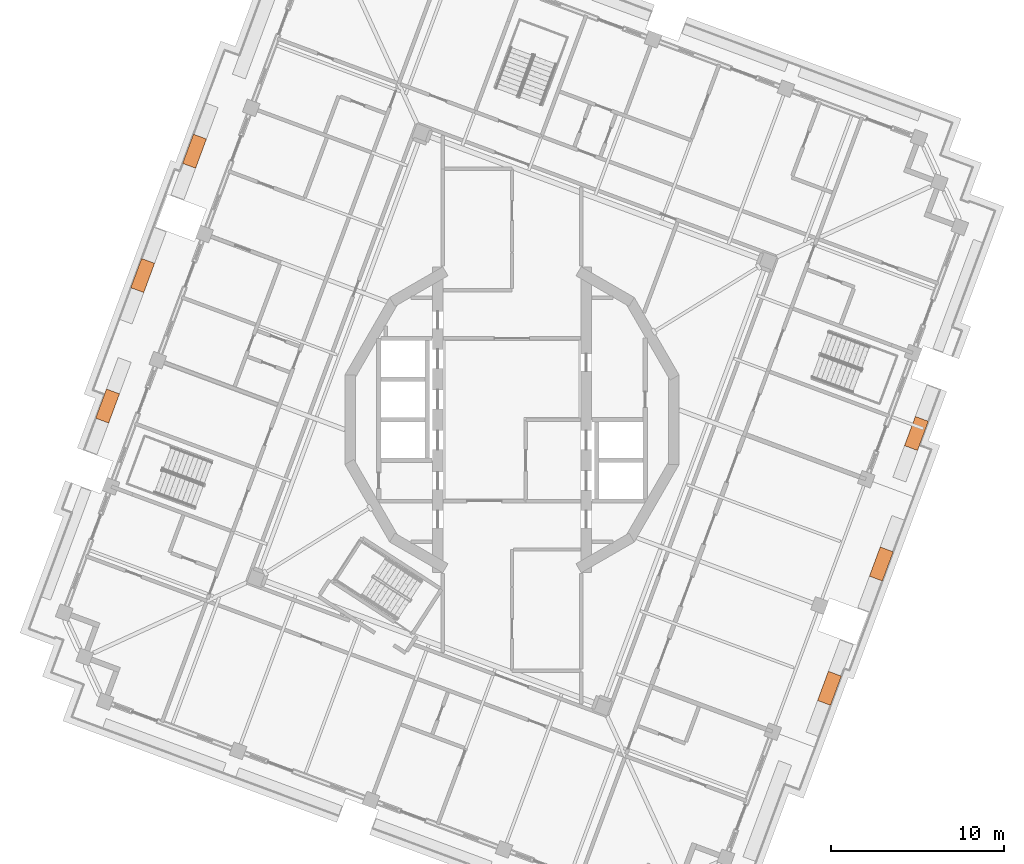
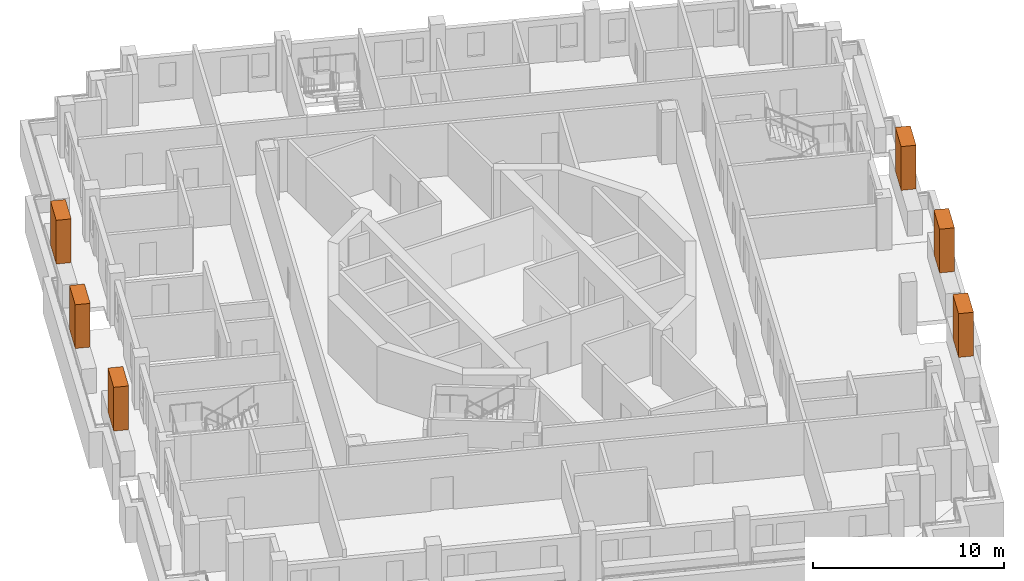
# One storey, part 19 of 19: 6 proxies.
"""IFC4 building model written with IfcOpenShell, lengths in metres."""

import ifcopenshell
import ifcopenshell.guid

model = None  # the IFC model being written
_history = None  # IfcOwnerHistory: only IFC2X3 demands one
_inside = {}  # id of a spatial element -> (the spatial element, [elements in it])
_under = {}  # id of a project, library or spatial element -> (it, [spatial elements below it])
_declared = {}  # id of a project -> (the project, [libraries it declares])
_typed = {}  # id of a type object -> (the type object, [elements of that type])
_made_of = {}  # id of a material, layer set ... -> (it, [elements and type objects made of it])


def new_model(schema):
    """Start an empty IFC model of exactly this schema.

    Asked for "IFC4X3", IfcOpenShell would pick the latest addendum, in which some entities
    have other attributes; the version numbers below select the first issue.
    IFC2X3 requires an IfcOwnerHistory on every rooted entity: one is made here for all.
    """
    global model, _history
    if schema == "IFC4X3":
        model = ifcopenshell.file(schema_version=(4, 3, 0, 0))
    else:
        model = ifcopenshell.file(schema=schema)
    _inside.clear()
    _under.clear()
    _declared.clear()
    _typed.clear()
    _made_of.clear()
    _history = None
    if model.schema == "IFC2X3":
        org = make("IfcOrganization", Name="unknown")
        user = make(
            "IfcPersonAndOrganization",
            ThePerson=make("IfcPerson", FamilyName="unknown"),
            TheOrganization=org,
        )
        app = make(
            "IfcApplication",
            ApplicationDeveloper=org,
            Version="unknown",
            ApplicationFullName="unknown",
            ApplicationIdentifier="unknown",
        )
        _history = make(
            "IfcOwnerHistory",
            OwningUser=user,
            OwningApplication=app,
            ChangeAction="ADDED",
            CreationDate=0,
        )
    return model


def make(cls, **values):
    """One entity of the class cls with the attributes given. An attribute that is None is left unset."""
    return model.create_entity(
        cls, **{name: value for name, value in values.items() if value is not None}
    )


def rooted(cls, **values):
    """An entity with a GlobalId (a new one), such as an element, a storey or a relation."""
    return make(cls, GlobalId=ifcopenshell.guid.new(), OwnerHistory=_history, **values)


def si_unit(unit_type, name, prefix=None):
    """IfcSIUnit, for example si_unit("LENGTHUNIT", "METRE", prefix="MILLI")."""
    return make("IfcSIUnit", UnitType=unit_type, Prefix=prefix, Name=name)


def assignment(units):
    """IfcUnitAssignment: the units of a project."""
    return None if units is None else make("IfcUnitAssignment", Units=units)


def point(xyz):
    """IfcCartesianPoint."""
    return None if xyz is None else make("IfcCartesianPoint", Coordinates=xyz)


def direction(xyz):
    """IfcDirection."""
    return None if xyz is None else make("IfcDirection", DirectionRatios=xyz)


def frame(location, z_axis=None, x_axis=None):
    """IfcAxis2Placement3D, a coordinate frame: its origin and axes. An axis left out is left unset."""
    return make(
        "IfcAxis2Placement3D",
        Location=point(location),
        Axis=direction(z_axis),
        RefDirection=direction(x_axis),
    )


def frame_2d(location, x_axis=None):
    """IfcAxis2Placement2D, a coordinate frame in the plane: its origin and x axis."""
    return make(
        "IfcAxis2Placement2D", Location=point(location), RefDirection=direction(x_axis)
    )


def origin():
    """The frame at (0, 0, 0) with its axes left unset."""
    return frame((0.0, 0.0, 0.0))


def origin_2d():
    """The frame at (0, 0) in the plane with its x axis left unset."""
    return frame_2d((0.0, 0.0))


def place(relative_to, where):
    """IfcLocalPlacement: puts the frame where relative to a parent placement (None: the world)."""
    return make(
        "IfcLocalPlacement", PlacementRelTo=relative_to, RelativePlacement=where
    )


def context(
    kind, dimensions, precision=None, world=None, true_north=None, identifier=None
):
    """IfcGeometricRepresentationContext, for example the 3D "Model" context."""
    return make(
        "IfcGeometricRepresentationContext",
        ContextIdentifier=identifier,
        ContextType=kind,
        CoordinateSpaceDimension=dimensions,
        Precision=precision,
        WorldCoordinateSystem=world,
        TrueNorth=true_north,
    )


def subcontext(parent, identifier, kind, view, scale=None):
    """IfcGeometricRepresentationSubContext, for example "Body" below "Model"."""
    return make(
        "IfcGeometricRepresentationSubContext",
        ContextIdentifier=identifier,
        ContextType=kind,
        ParentContext=parent,
        TargetScale=scale,
        TargetView=view,
    )


def project(units=None, contexts=None):
    """IfcProject with its units and contexts."""
    return rooted(
        "IfcProject",
        Name="project",
        RepresentationContexts=contexts,
        UnitsInContext=assignment(units),
    )


def spatial(cls, under=None, at=None, **own):
    """A site, building, storey or space (cls), placed at a placement, below another one or the project."""
    s = rooted(cls, ObjectPlacement=at, **own)
    if under is not None:
        _under.setdefault(under.id(), (under, []))[1].append(s)
    return s


def profile(cls, at=None, kind="AREA", **sizes):
    """A parametric profile (cls). Its sizes go by their IFC names, for example OverallWidth=200.0."""
    return make(cls, ProfileType=kind, Position=at, **sizes)


def rectangle(**sizes):
    """IfcRectangleProfileDef."""
    return profile("IfcRectangleProfileDef", **sizes)


def extrude(swept, where, along, depth):
    """IfcExtrudedAreaSolid: the profile swept, set in the frame where, extruded along a direction by depth."""
    return make(
        "IfcExtrudedAreaSolid",
        SweptArea=swept,
        Position=where,
        ExtrudedDirection=direction(along),
        Depth=depth,
    )


def shape(context_of_items, identifier, shape_type, items):
    """IfcShapeRepresentation: the items that make up one representation, for example the "Body"."""
    return make(
        "IfcShapeRepresentation",
        ContextOfItems=context_of_items,
        RepresentationIdentifier=identifier,
        RepresentationType=shape_type,
        Items=items,
    )


def made_of(thing, what):
    """Note that an element or type object is made of a material, layer set ...; save() writes the relation."""
    if what is not None:
        _made_of.setdefault(what.id(), (what, []))[1].append(thing)
    return thing


def element(
    cls,
    number,
    at=None,
    inside=None,
    cuts=None,
    type_object=None,
    material=None,
    context=None,
    identifier="Body",
    shape_type=None,
    held_by="IfcProductDefinitionShape",
    body=None,
    shapes=None,
    **own,
):
    """One element of the class cls, such as IfcWall. Its Tag is "e" and its number.

    at: its placement. inside: the storey or other place that contains it. cuts: it is an
    opening in that element (IfcRelVoidsElement). A single representation is given by context,
    identifier, shape_type and body (its items); several are given by shapes. held_by: the class
    of the entity that holds the representations. save() writes the other relations.
    """
    e = rooted(cls, Tag="e%d" % number, ObjectPlacement=at, **own)
    if body is not None:
        shapes = [shape(context, identifier, shape_type, body)]
    if shapes is not None:
        e.Representation = make(held_by, Representations=shapes)
    if inside is not None:
        _inside.setdefault(inside.id(), (inside, []))[1].append(e)
    if cuts is not None:
        rooted(
            "IfcRelVoidsElement", RelatingBuildingElement=cuts, RelatedOpeningElement=e
        )
    if type_object is not None:
        _typed.setdefault(type_object.id(), (type_object, []))[1].append(e)
    return made_of(e, material)


def aggregate(whole, parts):
    """IfcRelAggregates: a whole, such as a stair, and the parts it consists of."""
    return rooted("IfcRelAggregates", RelatingObject=whole, RelatedObjects=parts)


def save(model, path):
    """Write the relations noted so far, then the file.

    IfcRelAggregates (storeys below a building ...), IfcRelContainedInSpatialStructure (elements
    in a storey), IfcRelDefinesByType, IfcRelAssociatesMaterial and IfcRelDeclares: one each for
    every whole, place, type object, material and project.
    """
    for whole, parts in _under.values():
        aggregate(whole, parts)
    for where, things in _inside.values():
        rooted(
            "IfcRelContainedInSpatialStructure",
            RelatedElements=things,
            RelatingStructure=where,
        )
    for kind, things in _typed.values():
        rooted("IfcRelDefinesByType", RelatedObjects=things, RelatingType=kind)
    for what, things in _made_of.values():
        rooted("IfcRelAssociatesMaterial", RelatedObjects=things, RelatingMaterial=what)
    for by, libraries in _declared.values():
        rooted("IfcRelDeclares", RelatingContext=by, RelatedDefinitions=libraries)
    model.write(path)


model = new_model("IFC4")

# Units and contexts
model_context = context("Model", 3, precision=1e-05, world=origin(), true_north=direction((0.0, 1.0)))
body_context = subcontext(model_context, "Body", "Model", "MODEL_VIEW")
ifc_project = project(units=[si_unit("LENGTHUNIT", "METRE"), si_unit("AREAUNIT", "SQUARE_METRE"), si_unit("VOLUMEUNIT", "CUBIC_METRE"), si_unit("PLANEANGLEUNIT", "RADIAN"), si_unit("MASSUNIT", "GRAM", prefix="KILO")], contexts=[model_context])

# Site, building, storey
site_placement = place(None, origin())
site = spatial("IfcSite", under=ifc_project, at=site_placement, CompositionType="ELEMENT")
building_placement = place(site_placement, origin())
building = spatial("IfcBuilding", under=site, at=building_placement, Name="Cantera Rosa Tower", CompositionType="ELEMENT")
storey_placement = place(building_placement, frame((0.0, 0.0, 327.699951171875)))
storey = spatial("IfcBuildingStorey", under=building, at=storey_placement, Name="L73", CompositionType="ELEMENT", Elevation=327.699951171875)

# Proxies
for number, where, z_axis, x_axis, name in (
    (1, (-18.3544921875, 15.525146484375, 1.60009765625), (0.0, 0.0, 1.0), (-0.347481234489, -0.937686936924, 0.0), "TREE L73-06"),
    (2, (-21.351806640625, 8.339111328125, 1.60009765625), (0.0, 0.0, 1.0), (-0.347481234489, -0.937686936924, 0.0), "TREE L73-07"),
    (3, (-23.38134765625, 0.7939453125, 1.60009765625), (0.0, 0.0, 1.0), (-0.347481234489, -0.937686936924, 0.0), "TREE L73-08"),
    (4, (18.3544921875, -15.525146484375, 1.60009765625), (0.0, 0.0, 1.0), (0.347481234489, 0.937686936924, 0.0), "TREE L73-15"),
    (5, (21.351806640625, -8.339111328125, 1.60009765625), (0.0, 0.0, 1.0), (0.347481234489, 0.937686936924, 0.0), "TREE L73-16"),
    (6, (23.38134765625, -0.7939453125, 1.60009765625), (0.0, 0.0, 1.0), (0.347481234489, 0.937686936924, 0.0), "TREE L73-17"),
):
    element("IfcBuildingElementProxy", number, at=place(storey_placement, frame(where, z_axis=z_axis, x_axis=x_axis)), inside=storey, Name=name, ObjectType="TREE", PredefinedType="USERDEFINED", context=body_context, shape_type="SweptSolid", body=[
        extrude(rectangle(XDim=1.800048828125, YDim=0.800048828125, at=origin_2d()), origin(), (0.0, 0.0, 1.0), 2.800048828125),
    ])

save(model, "model.ifc")
